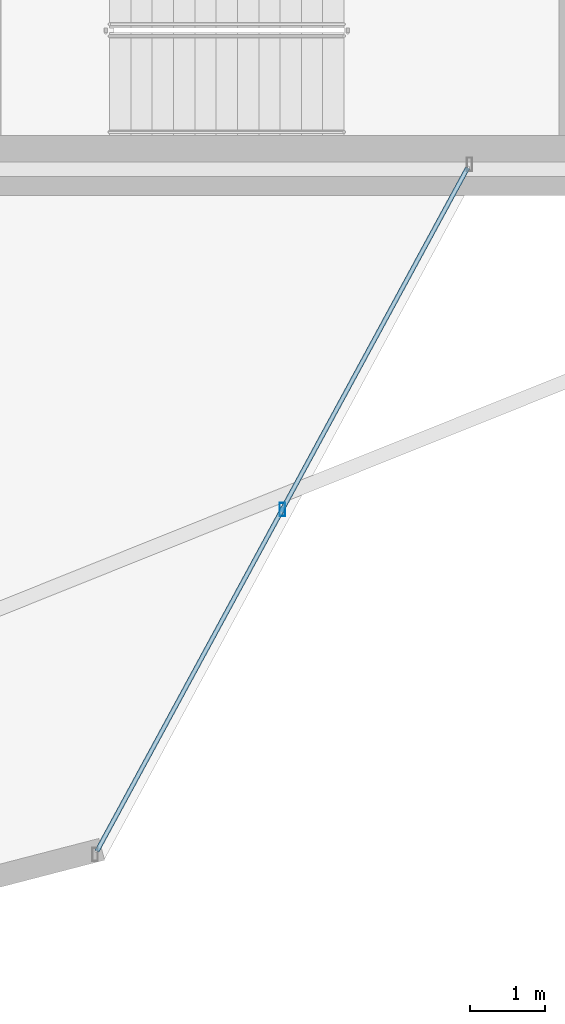
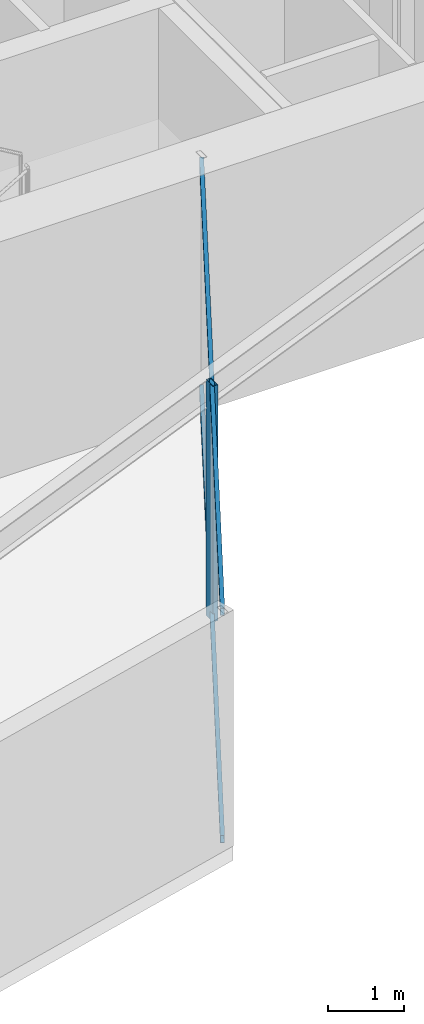
# One storey, part 13 of 26: 3 members, 1 element without a shape of its own.
"""IFC4 building model written with IfcOpenShell, lengths in metres."""

from ifc_helpers import new_model, si_unit, direction, frame, origin, origin_2d, place, context, subcontext, project, spatial, hollow_rectangle, extrude, material, layer, layer_set, material_profile, profile_set, type_object, element, aggregate, save


model = new_model("IFC4")

# Units and contexts
model_context = context("Model", 3, precision=1e-05, world=origin(), true_north=direction((0.0, 1.0)))
body_context = subcontext(model_context, "Body", "Model", "MODEL_VIEW")
ifc_project = project(units=[si_unit("LENGTHUNIT", "METRE"), si_unit("AREAUNIT", "SQUARE_METRE"), si_unit("VOLUMEUNIT", "CUBIC_METRE"), si_unit("PLANEANGLEUNIT", "RADIAN"), si_unit("MASSUNIT", "GRAM", prefix="KILO")], contexts=[model_context])

# Site, building, storey
site_placement = place(None, origin())
site = spatial("IfcSite", under=ifc_project, at=site_placement, CompositionType="ELEMENT")
building_placement = place(site_placement, origin())
building = spatial("IfcBuilding", under=site, at=building_placement, Name="Veymaron Broadcast Tower", CompositionType="ELEMENT")
storey_placement = place(building_placement, frame((0.0, 0.0, 153.300048828125)))
storey = spatial("IfcBuildingStorey", under=building, at=storey_placement, Name="L35", CompositionType="ELEMENT", Elevation=153.300048828125)

# Curtain wall, members
ifc_material_1 = material(Name="Anodised aluminium AA 6063-T6 and laminated low-E dark glass", Category="aluminium")
ifc_layer = layer(ifc_material_1, 0.179931640625)
ifc_layer_set = layer_set([ifc_layer], Name="Anodised aluminium AA 6063-T6 and laminated low-E dark glass")
curtain_wall_type = type_object("IfcCurtainWallType", Name="CW-SYS-03", PredefinedType="NOTDEFINED", material=ifc_layer_set)
curtain_wall_placement = place(storey_placement, origin())
curtain_wall = element("IfcCurtainWall", 1, at=curtain_wall_placement, inside=storey, type_object=curtain_wall_type, Name="L35 dark-glass curtain wall CW-L35-E20-1", PredefinedType="NOTDEFINED")
ifc_material_2 = material(Name="Anodised aluminium AA 6063-T6", Category="aluminium")
ifc_material_profile_1 = material_profile(ifc_material_2, hollow_rectangle(XDim=0.074951171875, YDim=0.179931640625, WallThickness=0.0048828125, at=origin_2d()), Name="AL180X75X5")
ifc_profile_set_1 = profile_set([ifc_material_profile_1], Name="Anodised aluminium AA 6063-T6")
member_type_1 = type_object("IfcMemberType", Name="CW-MUL-02", PredefinedType="MULLION", material=ifc_profile_set_1)
member_1_placement = place(storey_placement, frame((43.740234375, 11.453125, 0.0), z_axis=(0.0, 0.0, 1.0), x_axis=(1.0, 0.0, 0.0)))
member_1 = element("IfcMember", 2, at=member_1_placement, type_object=member_type_1, Name="CW-L35-E20-1 mullion 1", PredefinedType="MULLION", context=body_context, shape_type="SweptSolid", body=[
    extrude(hollow_rectangle(XDim=0.074951171875, YDim=0.179931640625, WallThickness=0.0048828125, at=origin_2d()), origin(), (0.0, 0.0, 1.0), 3.81005859375),
])
ifc_material_profile_2 = material_profile(ifc_material_2, hollow_rectangle(XDim=0.06005859375, YDim=0.1201171875, WallThickness=0.00390625, at=origin_2d()), Name="AL120X60X4")
ifc_profile_set_2 = profile_set([ifc_material_profile_2], Name="Anodised aluminium AA 6063-T6")
member_type_2 = type_object("IfcMemberType", Name="CW-TRN-02", PredefinedType="USERDEFINED", material=ifc_profile_set_2)
member_2_placement = place(storey_placement, frame((41.26123046875, 6.883544921875, 0.070068359375), z_axis=(0.47682238993, 0.878999663516, 0.0), x_axis=(-0.878999663516, 0.47682238993, 0.0)))
member_2 = element("IfcMember", 3, at=member_2_placement, type_object=member_type_2, Name="CW-L35-E20-1 transom B", ObjectType="TRANSOM", PredefinedType="USERDEFINED", context=body_context, shape_type="SweptSolid", body=[
    extrude(hollow_rectangle(XDim=0.06005859375, YDim=0.1201171875, WallThickness=0.00390625, at=origin_2d()), origin(), (0.0, 0.0, 1.0), 10.3974609375),
])
member_3_placement = place(storey_placement, frame((41.26123046875, 6.883544921875, 3.739990234375), z_axis=(0.47682238993, 0.878999663516, 0.0), x_axis=(-0.878999663516, 0.47682238993, 0.0)))
member_3 = element("IfcMember", 4, at=member_3_placement, type_object=member_type_2, Name="CW-L35-E20-1 transom T", ObjectType="TRANSOM", PredefinedType="USERDEFINED", context=body_context, shape_type="SweptSolid", body=[
    extrude(hollow_rectangle(XDim=0.06005859375, YDim=0.1201171875, WallThickness=0.00390625, at=origin_2d()), origin(), (0.0, 0.0, 1.0), 10.3974609375),
])
aggregate(curtain_wall, [member_1, member_2, member_3])

save(model, "model.ifc")
